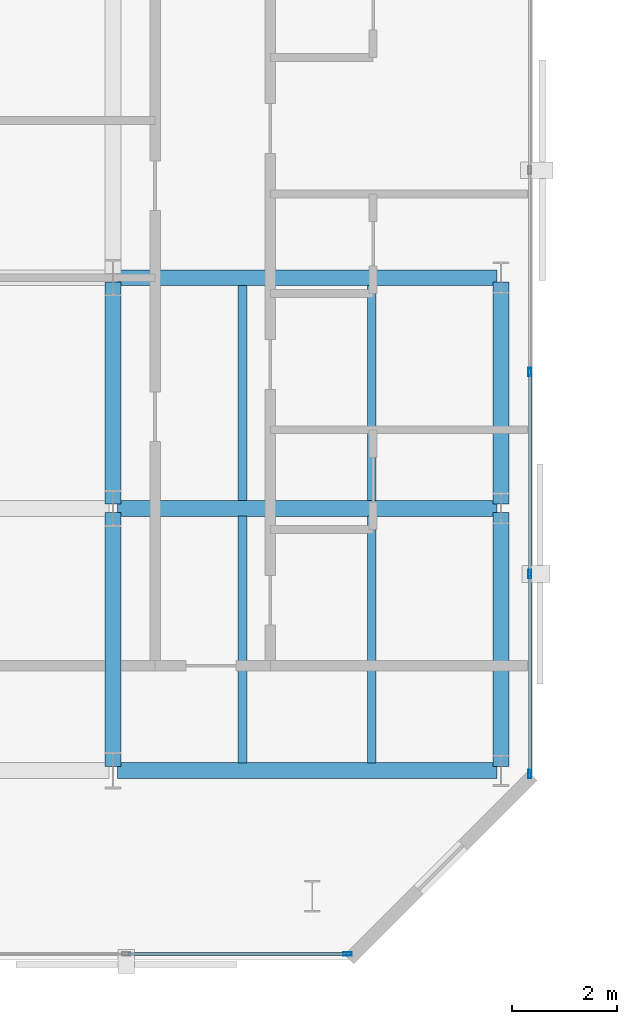
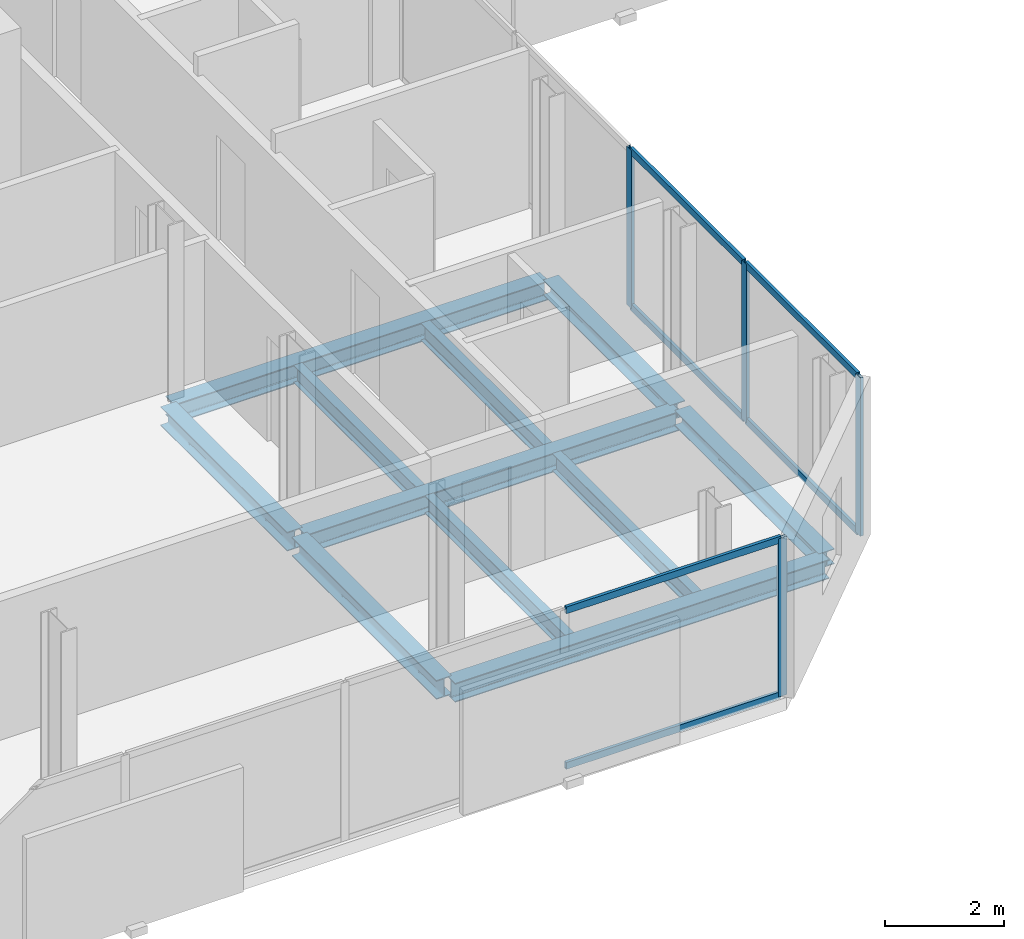
# One storey, part 7 of 32: 11 beams, 10 members, 2 elements without a shape of their own.
"""IFC4 building model written with IfcOpenShell, lengths in metres."""

from ifc_helpers import new_model, si_unit, direction, frame, origin, origin_2d, place, context, subcontext, project, spatial, hollow_rectangle, i_section, extrude, material, layer, layer_set, material_profile, profile_set, type_object, element, aggregate, save


model = new_model("IFC4")

# Units and contexts
model_context = context("Model", 3, precision=1e-05, world=origin(), true_north=direction((0.0, 1.0)))
body_context = subcontext(model_context, "Body", "Model", "MODEL_VIEW")
ifc_project = project(units=[si_unit("LENGTHUNIT", "METRE"), si_unit("AREAUNIT", "SQUARE_METRE"), si_unit("VOLUMEUNIT", "CUBIC_METRE"), si_unit("PLANEANGLEUNIT", "RADIAN"), si_unit("MASSUNIT", "GRAM", prefix="KILO")], contexts=[model_context])

# Site, building, storey
site_placement = place(None, origin())
site = spatial("IfcSite", under=ifc_project, at=site_placement, CompositionType="ELEMENT")
building_placement = place(site_placement, origin())
building = spatial("IfcBuilding", under=site, at=building_placement, Name="Catumbela Crestline Tower", CompositionType="ELEMENT")
storey_placement = place(building_placement, frame((0.0, 0.0, 140.4)))
storey = spatial("IfcBuildingStorey", under=building, at=storey_placement, Name="L36", CompositionType="ELEMENT", Elevation=140.4)

# Beams
ifc_material_1 = material(Name="Structural steel S355J2", Category="steel")
ifc_material_profile_1 = material_profile(ifc_material_1, i_section(OverallWidth=0.3, OverallDepth=0.39, WebThickness=0.011, FlangeThickness=0.019, FilletRadius=0.027, at=origin_2d()), Name="HEA 400")
ifc_profile_set_1 = profile_set([ifc_material_profile_1], Name="Structural steel S355J2")
beam_type_1 = type_object("IfcBeamType", Name="BG-HEA400", PredefinedType="BEAM", material=ifc_profile_set_1)
for number, where, z_axis, x_axis, name in (
    (1, (16.08, 8.6, -0.455), (1.0, 0.0, 0.0), (0.0, 1.0, 0.0), "L36 Beam BM-L36-WEW45"),
    (2, (16.08, 13.6, -0.455), (1.0, 0.0, 0.0), (0.0, 1.0, 0.0), "L36 Beam BM-L36-WEW48"),
    (3, (16.08, 18.0, -0.455), (1.0, 0.0, 0.0), (0.0, 1.0, 0.0), "L36 Beam BM-L36-WEW51"),
):
    element("IfcBeam", number, at=place(storey_placement, frame(where, z_axis=z_axis, x_axis=x_axis)), inside=storey, type_object=beam_type_1, Name=name, PredefinedType="BEAM", context=body_context, shape_type="SweptSolid", body=[
        extrude(i_section(OverallWidth=0.3, OverallDepth=0.39, WebThickness=0.011, FlangeThickness=0.019, FilletRadius=0.027, at=origin_2d()), origin(), (0.0, 0.0, 1.0), 7.24),
    ])
beam_1_placement = place(storey_placement, frame((16.0, 8.68, -0.455), z_axis=(0.0, 1.0, 0.0), x_axis=(-1.0, 0.0, 0.0)))
element("IfcBeam", 4, at=beam_1_placement, inside=storey, type_object=beam_type_1, Name="L36 Beam BM-L36-WNS58", PredefinedType="BEAM", context=body_context, shape_type="SweptSolid", body=[
    extrude(i_section(OverallWidth=0.3, OverallDepth=0.39, WebThickness=0.011, FlangeThickness=0.019, FilletRadius=0.027, at=origin_2d()), origin(), (0.0, 0.0, 1.0), 4.84),
])
beam_2_placement = place(storey_placement, frame((16.0, 13.68, -0.455), z_axis=(0.0, 1.0, 0.0), x_axis=(-1.0, 0.0, 0.0)))
element("IfcBeam", 5, at=beam_2_placement, inside=storey, type_object=beam_type_1, Name="L36 Beam BM-L36-WNS59", PredefinedType="BEAM", context=body_context, shape_type="SweptSolid", body=[
    extrude(i_section(OverallWidth=0.3, OverallDepth=0.39, WebThickness=0.011, FlangeThickness=0.019, FilletRadius=0.027, at=origin_2d()), origin(), (0.0, 0.0, 1.0), 4.24),
])
ifc_material_profile_2 = material_profile(ifc_material_1, i_section(OverallWidth=0.17, OverallDepth=0.36, WebThickness=0.008, FlangeThickness=0.0127, FilletRadius=0.018, at=origin_2d()), Name="IPE 360")
ifc_profile_set_2 = profile_set([ifc_material_profile_2], Name="Structural steel S355J2")
beam_type_2 = type_object("IfcBeamType", Name="BJ-IPE360", PredefinedType="JOIST", material=ifc_profile_set_2)
for number, where, z_axis, x_axis, name in (
    (6, (18.467, 8.747, -0.44), (0.0, 1.0, 0.0), (-1.0, 0.0, 0.0), "L36 Joist JS-L36-WG67"),
    (7, (20.933, 8.747, -0.44), (0.0, 1.0, 0.0), (-1.0, 0.0, 0.0), "L36 Joist JS-L36-WG68"),
):
    element("IfcBeam", number, at=place(storey_placement, frame(where, z_axis=z_axis, x_axis=x_axis)), inside=storey, type_object=beam_type_2, Name=name, PredefinedType="JOIST", context=body_context, shape_type="SweptSolid", body=[
        extrude(i_section(OverallWidth=0.17, OverallDepth=0.36, WebThickness=0.008, FlangeThickness=0.0127, FilletRadius=0.018, at=origin_2d()), origin(), (0.0, 0.0, 1.0), 4.706),
    ])
for number, where, z_axis, x_axis, name in (
    (8, (18.467, 13.747, -0.44), (0.0, 1.0, 0.0), (-1.0, 0.0, 0.0), "L36 Joist JS-L36-WG73"),
    (9, (20.933, 13.747, -0.44), (0.0, 1.0, 0.0), (-1.0, 0.0, 0.0), "L36 Joist JS-L36-WG74"),
):
    element("IfcBeam", number, at=place(storey_placement, frame(where, z_axis=z_axis, x_axis=x_axis)), inside=storey, type_object=beam_type_2, Name=name, PredefinedType="JOIST", context=body_context, shape_type="SweptSolid", body=[
        extrude(i_section(OverallWidth=0.17, OverallDepth=0.36, WebThickness=0.008, FlangeThickness=0.0127, FilletRadius=0.018, at=origin_2d()), origin(), (0.0, 0.0, 1.0), 4.106),
    ])

# Curtain wall, member
ifc_material_2 = material(Name="Aluminium alloy AW-6060-T66", Category="aluminium")
ifc_layer = layer(ifc_material_2, 0.18, Name="Aluminium alloy AW-6060-T66")
ifc_layer_set = layer_set([ifc_layer], Name="Aluminium alloy AW-6060-T66")
curtain_wall_type = type_object("IfcCurtainWallType", Name="CWU-Z2", PredefinedType="USERDEFINED", material=ifc_layer_set)
curtain_wall_1_placement = place(storey_placement, origin())
curtain_wall_1 = element("IfcCurtainWall", 10, at=curtain_wall_1_placement, inside=storey, type_object=curtain_wall_type, Name="L36 Unitised Curtain Wall CW-L36-E0S1", ObjectType="UNITISED", PredefinedType="USERDEFINED")
ifc_material_profile_3 = material_profile(ifc_material_2, hollow_rectangle(XDim=0.06, YDim=0.16, WallThickness=0.004, at=origin_2d()), Name="ALU 160x60x4")
ifc_profile_set_3 = profile_set([ifc_material_profile_3], Name="Aluminium alloy AW-6060-T66")
member_type_1 = type_object("IfcMemberType", Name="MUL-160X60", PredefinedType="MULLION", material=ifc_profile_set_3)
member_1_placement = place(storey_placement, frame((20.4675, 5.1, 0.0), z_axis=(0.0, 0.0, 1.0), x_axis=(0.0, 1.0, 0.0)))
member_1 = element("IfcMember", 11, at=member_1_placement, type_object=member_type_1, Name="CWU-Z2 mullion 5", PredefinedType="MULLION", context=body_context, shape_type="SweptSolid", body=[
    extrude(hollow_rectangle(XDim=0.06, YDim=0.16, WallThickness=0.004, at=origin_2d()), origin(), (0.0, 0.0, 1.0), 3.24),
])

# Curtain wall, members
curtain_wall_2_placement = place(storey_placement, origin())
curtain_wall_2 = element("IfcCurtainWall", 12, at=curtain_wall_2_placement, inside=storey, type_object=curtain_wall_type, Name="L36 Unitised Curtain Wall CW-L36-E2S1", ObjectType="UNITISED", PredefinedType="USERDEFINED")
member_2_placement = place(storey_placement, frame((23.95, 8.5325, 0.0), z_axis=(0.0, 0.0, 1.0), x_axis=(-1.0, 0.0, 0.0)))
member_2 = element("IfcMember", 13, at=member_2_placement, type_object=member_type_1, Name="CWU-Z2 mullion 1", PredefinedType="MULLION", context=body_context, shape_type="SweptSolid", body=[
    extrude(hollow_rectangle(XDim=0.06, YDim=0.16, WallThickness=0.004, at=origin_2d()), origin(), (0.0, 0.0, 1.0), 3.24),
])
member_3_placement = place(storey_placement, frame((23.95, 12.35, 0.0), z_axis=(0.0, 0.0, 1.0), x_axis=(-1.0, 0.0, 0.0)))
member_3 = element("IfcMember", 14, at=member_3_placement, type_object=member_type_1, Name="CWU-Z2 mullion 2", PredefinedType="MULLION", context=body_context, shape_type="SweptSolid", body=[
    extrude(hollow_rectangle(XDim=0.06, YDim=0.16, WallThickness=0.004, at=origin_2d()), origin(), (0.0, 0.0, 1.0), 3.24),
])
member_4_placement = place(storey_placement, frame((23.95, 16.2, 0.0), z_axis=(0.0, 0.0, 1.0), x_axis=(-1.0, 0.0, 0.0)))
member_4 = element("IfcMember", 15, at=member_4_placement, type_object=member_type_1, Name="CWU-Z2 mullion 3", PredefinedType="MULLION", context=body_context, shape_type="SweptSolid", body=[
    extrude(hollow_rectangle(XDim=0.06, YDim=0.16, WallThickness=0.004, at=origin_2d()), origin(), (0.0, 0.0, 1.0), 3.24),
])

# Beams
ifc_material_profile_4 = material_profile(ifc_material_1, i_section(OverallWidth=0.3, OverallDepth=0.31, WebThickness=0.009, FlangeThickness=0.0155, FilletRadius=0.027, at=origin_2d()), Name="HEA 320")
ifc_profile_set_4 = profile_set([ifc_material_profile_4], Name="Structural steel S355J2")
beam_type_3 = type_object("IfcBeamType", Name="BS-HEA320", PredefinedType="SPANDREL", material=ifc_profile_set_4)
beam_3_placement = place(storey_placement, frame((23.4, 8.68, -0.415), z_axis=(0.0, 1.0, 0.0), x_axis=(-1.0, 0.0, 0.0)))
element("IfcBeam", 16, at=beam_3_placement, inside=storey, type_object=beam_type_3, Name="L36 Spandrel SP-L36-WNS61", PredefinedType="SPANDREL", context=body_context, shape_type="SweptSolid", body=[
    extrude(i_section(OverallWidth=0.3, OverallDepth=0.31, WebThickness=0.009, FlangeThickness=0.0155, FilletRadius=0.027, at=origin_2d()), origin(), (0.0, 0.0, 1.0), 4.84),
])
beam_4_placement = place(storey_placement, frame((23.4, 13.68, -0.415), z_axis=(0.0, 1.0, 0.0), x_axis=(-1.0, 0.0, 0.0)))
element("IfcBeam", 17, at=beam_4_placement, inside=storey, type_object=beam_type_3, Name="L36 Spandrel SP-L36-WNS62", PredefinedType="SPANDREL", context=body_context, shape_type="SweptSolid", body=[
    extrude(i_section(OverallWidth=0.3, OverallDepth=0.31, WebThickness=0.009, FlangeThickness=0.0155, FilletRadius=0.027, at=origin_2d()), origin(), (0.0, 0.0, 1.0), 4.24),
])

# Member
ifc_material_profile_5 = material_profile(ifc_material_2, hollow_rectangle(XDim=0.06, YDim=0.14, WallThickness=0.004, at=origin_2d()), Name="ALU 140x60x4")
ifc_profile_set_5 = profile_set([ifc_material_profile_5], Name="Aluminium alloy AW-6060-T66")
member_type_2 = type_object("IfcMemberType", Name="TRN-140X60", PredefinedType="USERDEFINED", material=ifc_profile_set_5)
member_5_placement = place(storey_placement, frame((16.2825, 5.1, 0.03), z_axis=(1.0, 0.0, 0.0), x_axis=(0.0, 1.0, 0.0)))
member_5 = element("IfcMember", 18, at=member_5_placement, type_object=member_type_2, Name="CWU-Z2 transom 4.1", ObjectType="TRANSOM", PredefinedType="USERDEFINED", context=body_context, shape_type="SweptSolid", body=[
    extrude(hollow_rectangle(XDim=0.06, YDim=0.14, WallThickness=0.004, at=origin_2d()), origin(), (0.0, 0.0, 1.0), 4.1525),
])

member_6_placement = place(storey_placement, frame((16.2825, 5.1, 3.21), z_axis=(1.0, 0.0, 0.0), x_axis=(0.0, 1.0, 0.0)))
member_6 = element("IfcMember", 19, at=member_6_placement, type_object=member_type_2, Name="CWU-Z2 transom 4.2", ObjectType="TRANSOM", PredefinedType="USERDEFINED", context=body_context, shape_type="SweptSolid", body=[
    extrude(hollow_rectangle(XDim=0.06, YDim=0.14, WallThickness=0.004, at=origin_2d()), origin(), (0.0, 0.0, 1.0), 4.1525),
])

aggregate(curtain_wall_1, [member_1, member_5, member_6])

member_7_placement = place(storey_placement, frame((23.95, 8.565, 0.03), z_axis=(0.0, 1.0, 0.0), x_axis=(-1.0, 0.0, 0.0)))
member_7 = element("IfcMember", 20, at=member_7_placement, type_object=member_type_2, Name="CWU-Z2 transom 1.1", ObjectType="TRANSOM", PredefinedType="USERDEFINED", context=body_context, shape_type="SweptSolid", body=[
    extrude(hollow_rectangle(XDim=0.06, YDim=0.14, WallThickness=0.004, at=origin_2d()), origin(), (0.0, 0.0, 1.0), 3.7525),
])

member_8_placement = place(storey_placement, frame((23.95, 8.565, 3.21), z_axis=(0.0, 1.0, 0.0), x_axis=(-1.0, 0.0, 0.0)))
member_8 = element("IfcMember", 21, at=member_8_placement, type_object=member_type_2, Name="CWU-Z2 transom 1.2", ObjectType="TRANSOM", PredefinedType="USERDEFINED", context=body_context, shape_type="SweptSolid", body=[
    extrude(hollow_rectangle(XDim=0.06, YDim=0.14, WallThickness=0.004, at=origin_2d()), origin(), (0.0, 0.0, 1.0), 3.7525),
])

member_9_placement = place(storey_placement, frame((23.95, 12.3825, 0.03), z_axis=(0.0, 1.0, 0.0), x_axis=(-1.0, 0.0, 0.0)))
member_9 = element("IfcMember", 22, at=member_9_placement, type_object=member_type_2, Name="CWU-Z2 transom 2.1", ObjectType="TRANSOM", PredefinedType="USERDEFINED", context=body_context, shape_type="SweptSolid", body=[
    extrude(hollow_rectangle(XDim=0.06, YDim=0.14, WallThickness=0.004, at=origin_2d()), origin(), (0.0, 0.0, 1.0), 3.785),
])

member_10_placement = place(storey_placement, frame((23.95, 12.3825, 3.21), z_axis=(0.0, 1.0, 0.0), x_axis=(-1.0, 0.0, 0.0)))
member_10 = element("IfcMember", 23, at=member_10_placement, type_object=member_type_2, Name="CWU-Z2 transom 2.2", ObjectType="TRANSOM", PredefinedType="USERDEFINED", context=body_context, shape_type="SweptSolid", body=[
    extrude(hollow_rectangle(XDim=0.06, YDim=0.14, WallThickness=0.004, at=origin_2d()), origin(), (0.0, 0.0, 1.0), 3.785),
])

aggregate(curtain_wall_2, [member_2, member_3, member_4, member_7, member_8, member_9, member_10])

save(model, "model.ifc")
